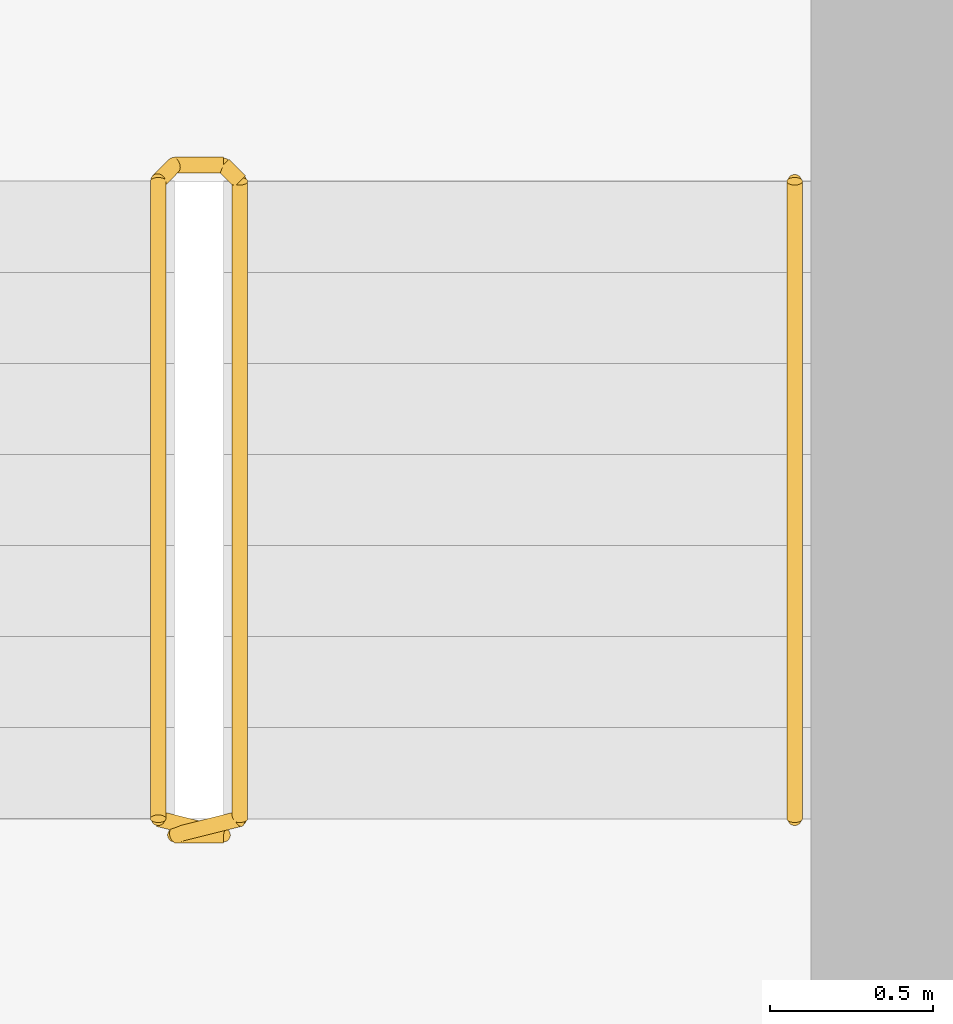
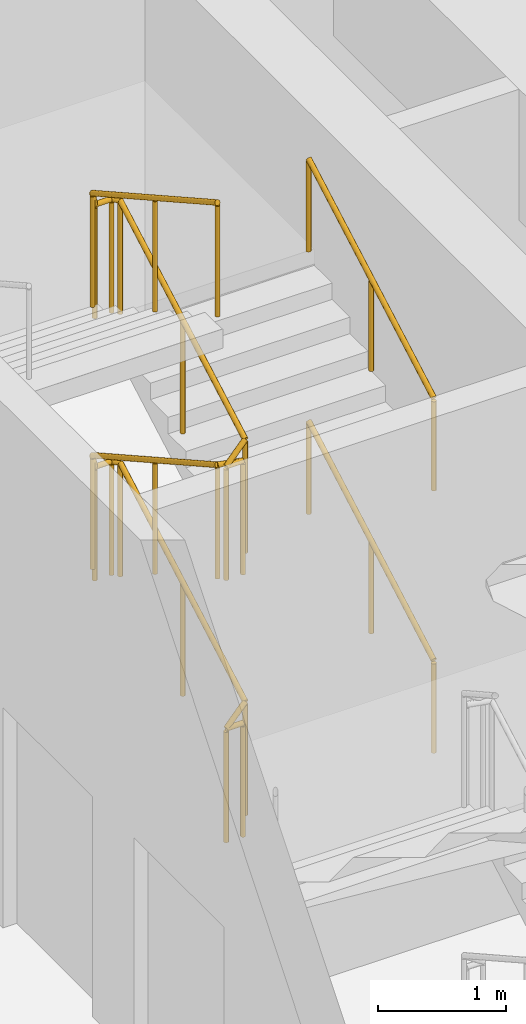
# One storey, part 22 of 22: 3 railings.
"""IFC4 building model written with IfcOpenShell, lengths in metres."""

from ifc_helpers import new_model, si_unit, direction, frame, origin, origin_2d, place, context, subcontext, project, spatial, circle, extrude, material, type_object, element, save


model = new_model("IFC4")

# Units and contexts
model_context = context("Model", 3, precision=1e-05, world=origin(), true_north=direction((0.0, 1.0)))
body_context = subcontext(model_context, "Body", "Model", "MODEL_VIEW")
ifc_project = project(units=[si_unit("LENGTHUNIT", "METRE"), si_unit("AREAUNIT", "SQUARE_METRE"), si_unit("VOLUMEUNIT", "CUBIC_METRE"), si_unit("PLANEANGLEUNIT", "RADIAN"), si_unit("MASSUNIT", "GRAM", prefix="KILO")], contexts=[model_context])

# Site, building, storey
site_placement = place(None, origin())
site = spatial("IfcSite", under=ifc_project, at=site_placement, CompositionType="ELEMENT")
building_placement = place(site_placement, origin())
building = spatial("IfcBuilding", under=site, at=building_placement, Name="Calabash Gate Tower", CompositionType="ELEMENT")
storey_placement = place(building_placement, frame((0.0, 0.0, 191.39990234375)))
storey = spatial("IfcBuildingStorey", under=building, at=storey_placement, Name="L45", CompositionType="ELEMENT", Elevation=191.39990234375)

# Railings
ifc_material_1 = material(Name="Black powder-coated steel balusters", Category="steel")
railing_type_1 = type_object("IfcRailingType", Name="Stair guard RL1100", PredefinedType="GUARDRAIL", material=ifc_material_1)
railing_placement = place(storey_placement, frame((10.300048828125, 13.902587890625, 0.0)))
element("IfcRailing", 1, at=railing_placement, inside=storey, type_object=railing_type_1, Name="L45 ST3 stair guard 1", PredefinedType="GUARDRAIL", context=body_context, shape_type="SweptSolid", body=[
    extrude(circle(Radius=0.02392578125, at=origin_2d()), frame((0.0, 0.0, 1.076171875), z_axis=(-1.0, 0.0, 0.0), x_axis=(0.0, -1.0, 0.0)), (0.0, 0.0, 1.0), 0.150146484375),
    extrude(circle(Radius=0.02392578125, at=origin_2d()), frame((-0.150146484375, 0.0, 1.076171875), z_axis=(0.773438643492, 0.193359660873, 0.603659429067), x_axis=(-0.242535625036, 0.970142500145, 0.0)), (0.0, 0.0, 1.0), 0.2587890625),
    extrude(circle(Radius=0.02392578125, at=origin_2d()), frame((0.050048828125, 0.050048828125, 1.232421875), z_axis=(0.0, 0.872479975208, 0.48864986735), x_axis=(-1.0, 0.0, 0.0)), (0.0, 0.0, 1.0), 2.23828125),
    extrude(circle(Radius=0.02392578125, at=origin_2d()), frame((0.050048828125, 2.0029296875, 2.326171875), z_axis=(-0.707106781187, 0.707106781187, 0.0), x_axis=(-0.707106781187, -0.707106781187, 0.0)), (0.0, 0.0, 1.0), 0.07080078125),
    extrude(circle(Radius=0.02392578125, at=origin_2d()), frame((0.0, 2.052978515625, 2.326171875), z_axis=(-1.0, 0.0, 0.0), x_axis=(0.0, -1.0, 0.0)), (0.0, 0.0, 1.0), 0.150146484375),
    extrude(circle(Radius=0.02392578125, at=origin_2d()), frame((-0.150146484375, 2.052978515625, 2.326171875), z_axis=(-0.290469530425, -0.291893400672, 0.911276958196), x_axis=(0.708833529934, -0.705375805398, 0.0)), (0.0, 0.0, 1.0), 0.17138671875),
    extrude(circle(Radius=0.02392578125, at=origin_2d()), frame((-0.199951171875, 2.0029296875, 2.482421875), z_axis=(0.0, -0.872479975208, 0.48864986735), x_axis=(1.0, 0.0, 0.0)), (0.0, 0.0, 1.0), 2.23828125),
    extrude(circle(Radius=0.02392578125, at=origin_2d()), frame((-0.199951171875, 0.050048828125, 3.576171875), z_axis=(0.970072785993, -0.242814311512, 0.0), x_axis=(0.242814311512, 0.970072785993, 0.0)), (0.0, 0.0, 1.0), 0.2060546875),
    extrude(circle(Radius=0.02392578125, at=origin_2d()), frame((0.0, 0.0, 3.576171875), z_axis=(-1.0, 0.0, 0.0), x_axis=(0.0, -1.0, 0.0)), (0.0, 0.0, 1.0), 0.150146484375),
    extrude(circle(Radius=0.02392578125, at=origin_2d()), frame((-0.150146484375, 0.0, 3.576171875), z_axis=(0.773438643492, 0.193359660873, 0.603659429067), x_axis=(-0.242535625036, 0.970142500145, 0.0)), (0.0, 0.0, 1.0), 0.2587890625),
    extrude(circle(Radius=0.02392578125, at=origin_2d()), frame((0.050048828125, 0.050048828125, 3.732421875), z_axis=(0.0, 0.872479975208, 0.48864986735), x_axis=(-1.0, 0.0, 0.0)), (0.0, 0.0, 1.0), 2.23828125),
    extrude(circle(Radius=0.02392578125, at=origin_2d()), frame((0.050048828125, 2.0029296875, 4.826171875), z_axis=(-0.707106781187, 0.707106781187, 0.0), x_axis=(-0.707106781187, -0.707106781187, 0.0)), (0.0, 0.0, 1.0), 0.07080078125),
    extrude(circle(Radius=0.02392578125, at=origin_2d()), frame((0.0, 2.052978515625, 4.826171875), z_axis=(-1.0, 0.0, 0.0), x_axis=(0.0, -1.0, 0.0)), (0.0, 0.0, 1.0), 0.150146484375),
    extrude(circle(Radius=0.02392578125, at=origin_2d()), frame((-0.150146484375, 2.052978515625, 4.826171875), z_axis=(-0.290469530425, -0.291893400672, 0.911276958196), x_axis=(0.708833529934, -0.705375805398, 0.0)), (0.0, 0.0, 1.0), 0.17138671875),
    extrude(circle(Radius=0.02392578125, at=origin_2d()), frame((-0.199951171875, 2.0029296875, 4.982421875), z_axis=(0.0, -0.872479975208, 0.48864986735), x_axis=(1.0, 0.0, 0.0)), (0.0, 0.0, 1.0), 2.23828125),
    extrude(circle(Radius=0.02099609375, at=origin_2d()), origin(), (0.0, 0.0, 1.0), 1.052001953125),
    extrude(circle(Radius=0.02099609375, at=origin_2d()), frame((-0.150146484375, 0.0, 0.0)), (0.0, 0.0, 1.0), 1.052001953125),
    extrude(circle(Radius=0.02099609375, at=origin_2d()), frame((0.050048828125, 0.050048828125, 0.15625)), (0.0, 0.0, 1.0), 1.052001953125),
    extrude(circle(Radius=0.02099609375, at=origin_2d()), frame((0.050048828125, 1.0263671875, 0.703125)), (0.0, 0.0, 1.0), 1.052001953125),
    extrude(circle(Radius=0.02099609375, at=origin_2d()), frame((0.050048828125, 2.0029296875, 1.25)), (0.0, 0.0, 1.0), 1.052001953125),
    extrude(circle(Radius=0.02099609375, at=origin_2d()), frame((0.0, 2.052978515625, 1.25)), (0.0, 0.0, 1.0), 1.052001953125),
    extrude(circle(Radius=0.02099609375, at=origin_2d()), frame((-0.150146484375, 2.052978515625, 1.25)), (0.0, 0.0, 1.0), 1.052001953125),
    extrude(circle(Radius=0.02099609375, at=origin_2d()), frame((-0.199951171875, 2.0029296875, 1.40625)), (0.0, 0.0, 1.0), 1.052001953125),
    extrude(circle(Radius=0.02099609375, at=origin_2d()), frame((-0.199951171875, 1.0263671875, 1.953125)), (0.0, 0.0, 1.0), 1.052001953125),
    extrude(circle(Radius=0.02099609375, at=origin_2d()), frame((-0.199951171875, 0.050048828125, 2.5)), (0.0, 0.0, 1.0), 1.052001953125),
    extrude(circle(Radius=0.02099609375, at=origin_2d()), frame((0.0, 0.0, 2.5)), (0.0, 0.0, 1.0), 1.052001953125),
    extrude(circle(Radius=0.02099609375, at=origin_2d()), frame((-0.150146484375, 0.0, 2.5)), (0.0, 0.0, 1.0), 1.052001953125),
    extrude(circle(Radius=0.02099609375, at=origin_2d()), frame((0.050048828125, 0.050048828125, 2.65625)), (0.0, 0.0, 1.0), 1.052001953125),
    extrude(circle(Radius=0.02099609375, at=origin_2d()), frame((0.050048828125, 1.0263671875, 3.203125)), (0.0, 0.0, 1.0), 1.052001953125),
    extrude(circle(Radius=0.02099609375, at=origin_2d()), frame((0.050048828125, 2.0029296875, 3.75)), (0.0, 0.0, 1.0), 1.052001953125),
    extrude(circle(Radius=0.02099609375, at=origin_2d()), frame((0.0, 2.052978515625, 3.75)), (0.0, 0.0, 1.0), 1.052001953125),
    extrude(circle(Radius=0.02099609375, at=origin_2d()), frame((-0.150146484375, 2.052978515625, 3.75)), (0.0, 0.0, 1.0), 1.052001953125),
    extrude(circle(Radius=0.02099609375, at=origin_2d()), frame((-0.199951171875, 2.0029296875, 3.90625)), (0.0, 0.0, 1.0), 1.052001953125),
    extrude(circle(Radius=0.02099609375, at=origin_2d()), frame((-0.199951171875, 1.0263671875, 4.453125)), (0.0, 0.0, 1.0), 1.052001953125),
    extrude(circle(Radius=0.02099609375, at=origin_2d()), frame((-0.199951171875, 0.050048828125, 5.0)), (0.0, 0.0, 1.0), 1.052001953125),
])
ifc_material_2 = material(Name="Black powder-coated steel tube 48 mm", Category="steel")
railing_type_2 = type_object("IfcRailingType", Name="Stair handrail RL900", PredefinedType="HANDRAIL", material=ifc_material_2)
for number, where, name in (
    (2, (12.050048828125, 13.95263671875, 0.15625), "L45 ST3 stair handrail 1"),
    (3, (12.050048828125, 13.95263671875, 2.65625), "L45 ST3 stair handrail 3"),
):
    element("IfcRailing", number, at=place(storey_placement, frame(where)), inside=storey, type_object=railing_type_2, Name=name, PredefinedType="HANDRAIL", context=body_context, shape_type="SweptSolid", body=[
        extrude(circle(Radius=0.02392578125, at=origin_2d()), frame((0.0, 0.0, 0.8759765625), z_axis=(0.0, 0.872479975208, 0.48864986735), x_axis=(-1.0, 0.0, 0.0)), (0.0, 0.0, 1.0), 2.23828125),
        extrude(circle(Radius=0.02099609375, at=origin_2d()), origin(), (0.0, 0.0, 1.0), 0.851806640625),
        extrude(circle(Radius=0.02099609375, at=origin_2d()), frame((0.0, 0.9765625, 0.546875)), (0.0, 0.0, 1.0), 0.851806640625),
        extrude(circle(Radius=0.02099609375, at=origin_2d()), frame((0.0, 1.952880859375, 1.09375)), (0.0, 0.0, 1.0), 0.851806640625),
    ])

save(model, "model.ifc")
